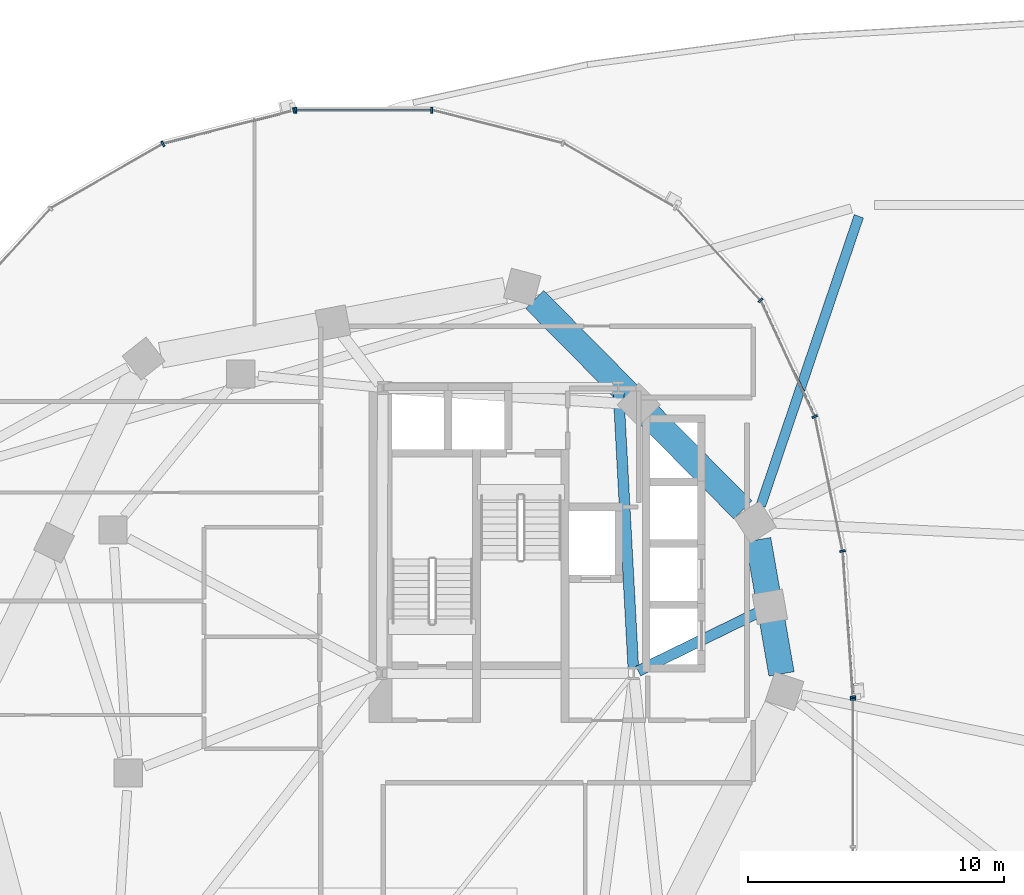
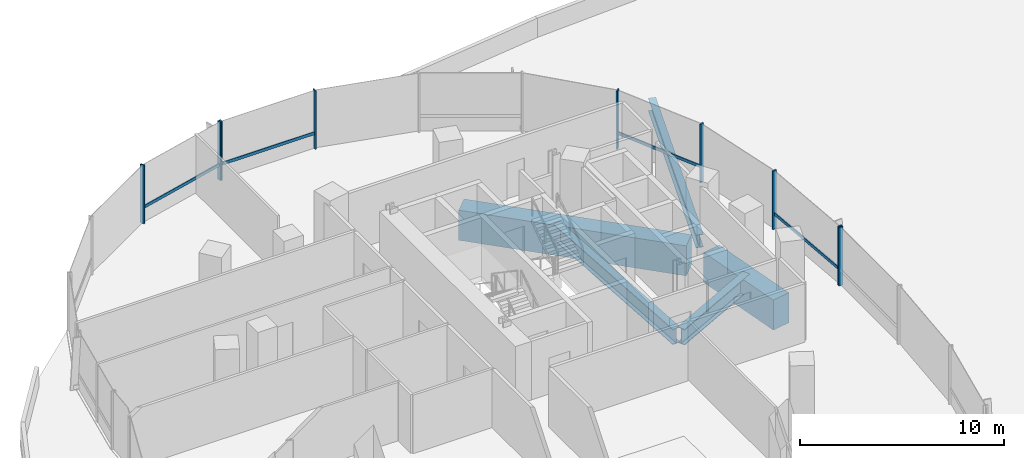
# One storey, part 7 of 28: 13 members, 5 beams, 3 elements without a shape of their own.
"""IFC4 building model written with IfcOpenShell, lengths in metres."""

from ifc_helpers import new_model, si_unit, direction, frame, origin, origin_2d, place, context, subcontext, project, spatial, rectangle, i_section, extrude, material, material_profile, profile_set, type_object, element, aggregate, save


model = new_model("IFC4")

# Units and contexts
model_context = context("Model", 3, precision=1e-05, world=origin(), true_north=direction((0.0, 1.0)))
body_context = subcontext(model_context, "Body", "Model", "MODEL_VIEW")
ifc_project = project(units=[si_unit("LENGTHUNIT", "METRE"), si_unit("AREAUNIT", "SQUARE_METRE"), si_unit("VOLUMEUNIT", "CUBIC_METRE"), si_unit("PLANEANGLEUNIT", "RADIAN"), si_unit("MASSUNIT", "GRAM", prefix="KILO"), si_unit("THERMODYNAMICTEMPERATUREUNIT", "KELVIN"), si_unit("POWERUNIT", "WATT")], contexts=[model_context])

# Site, building, storey
site_placement = place(None, origin())
site = spatial("IfcSite", under=ifc_project, at=site_placement, CompositionType="ELEMENT")
building_placement = place(site_placement, origin())
building = spatial("IfcBuilding", under=site, at=building_placement, Name="Cundina Bronze Exchange", CompositionType="ELEMENT")
storey_placement = place(building_placement, frame((0.0, 0.0, 24.0)))
storey = spatial("IfcBuildingStorey", under=building, at=storey_placement, Name="L05", CompositionType="ELEMENT", Elevation=24.0)

# Beams
ifc_material_1 = material(Name="Steel ASTM A992 Grade 50", Category="steel")
ifc_material_profile_1 = material_profile(ifc_material_1, i_section(OverallWidth=0.381103515625, OverallDepth=0.77294921875, WebThickness=0.0166015625, FlangeThickness=0.027099609375, FilletRadius=0.01904296875, at=origin_2d()), Name="W30X173", Category="steel")
ifc_profile_set_1 = profile_set([ifc_material_profile_1], Name="Steel ASTM A992 Grade 50")
beam_type_1 = type_object("IfcBeamType", Name="BM-RING-W30", PredefinedType="USERDEFINED", material=ifc_profile_set_1)
beam_1_placement = place(storey_placement, frame((-12.6484375, 21.761474609375, -0.69140625), z_axis=(-0.320812062771, -0.947142872211, 0.0), x_axis=(0.947142872211, -0.320812062771, 0.0)))
element("IfcBeam", 1, at=beam_1_placement, inside=storey, type_object=beam_type_1, Name="L05 Podium Colonnade Tie Beam 03", ObjectType="GIRDER", PredefinedType="USERDEFINED", context=body_context, shape_type="SweptSolid", body=[
    extrude(i_section(OverallWidth=0.381103515625, OverallDepth=0.77294921875, WebThickness=0.0166015625, FlangeThickness=0.027099609375, FilletRadius=0.01904296875, at=origin_2d()), origin(), (0.0, 0.0, 1.0), 11.94091796875),
])
ifc_material_profile_2 = material_profile(ifc_material_1, i_section(OverallWidth=0.423095703125, OverallDepth=0.947998046875, WebThickness=0.02392578125, FlangeThickness=0.042724609375, FilletRadius=0.02392578125, at=origin_2d()), Name="W36X302", Category="steel")
ifc_profile_set_2 = profile_set([ifc_material_profile_2], Name="Steel ASTM A992 Grade 50")
beam_type_2 = type_object("IfcBeamType", Name="BM-WRN-W36A", PredefinedType="USERDEFINED", material=ifc_profile_set_2)
beam_2_placement = place(storey_placement, frame((-21.2666015625, 3.989501953125, -0.77392578125), z_axis=(0.898603119977, 0.438762387594, 0.0), x_axis=(-0.438762387594, 0.898603119977, 0.0)))
element("IfcBeam", 2, at=beam_2_placement, inside=storey, type_object=beam_type_2, Name="L05 W Transfer Radial Tie Girder 01", ObjectType="GIRDER", PredefinedType="USERDEFINED", context=body_context, shape_type="SweptSolid", body=[
    extrude(i_section(OverallWidth=0.423095703125, OverallDepth=0.947998046875, WebThickness=0.02392578125, FlangeThickness=0.042724609375, FilletRadius=0.02392578125, at=origin_2d()), origin(), (0.0, 0.0, 1.0), 5.7216796875),
])
ifc_material_profile_3 = material_profile(ifc_material_1, i_section(OverallWidth=0.41796875, OverallDepth=0.927001953125, WebThickness=0.019287109375, FlangeThickness=0.031982421875, FilletRadius=0.02392578125, at=origin_2d()), Name="W36X231", Category="steel")
ifc_profile_set_3 = profile_set([ifc_material_profile_3], Name="Steel ASTM A992 Grade 50")
beam_type_3 = type_object("IfcBeamType", Name="BM-WRN-W36B", PredefinedType="USERDEFINED", material=ifc_profile_set_3)
beam_3_placement = place(storey_placement, frame((-21.4609375, 4.103759765625, -0.763427734375), z_axis=(-0.053739193498, 0.998555005537, 0.0), x_axis=(-0.998555005537, -0.053739193498, 0.0)))
element("IfcBeam", 3, at=beam_3_placement, inside=storey, type_object=beam_type_3, Name="L05 W Core Perimeter Tie Girder 2", ObjectType="GIRDER", PredefinedType="USERDEFINED", context=body_context, shape_type="SweptSolid", body=[
    extrude(i_section(OverallWidth=0.41796875, OverallDepth=0.927001953125, WebThickness=0.019287109375, FlangeThickness=0.031982421875, FilletRadius=0.02392578125, at=origin_2d()), origin(), (0.0, 0.0, 1.0), 10.758056640625),
])
ifc_material_2 = material(Name="Concrete C60/75", Category="concrete")
ifc_material_profile_4 = material_profile(ifc_material_2, rectangle(XDim=1.0, YDim=1.800048828125, at=origin_2d()), Name="RC1000X1800", Category="concrete")
ifc_profile_set_4 = profile_set([ifc_material_profile_4], Name="Concrete C60/75")
beam_type_4 = type_object("IfcBeamType", Name="BM-XFER-RC1800", PredefinedType="USERDEFINED", material=ifc_profile_set_4)
beam_4_placement = place(storey_placement, frame((-15.668212890625, 3.877685546875, -1.199951171875), z_axis=(-0.171608250567, 0.985165269555, 0.0), x_axis=(-0.985165269555, -0.171608250567, 0.0)))
element("IfcBeam", 4, at=beam_4_placement, inside=storey, type_object=beam_type_4, Name="L05 W Podium Perimeter Transfer Girder 00", ObjectType="GIRDER", PredefinedType="USERDEFINED", context=body_context, shape_type="SweptSolid", body=[
    extrude(rectangle(XDim=1.0, YDim=1.800048828125, at=origin_2d()), origin(), (0.0, 0.0, 1.0), 5.323486328125),
])
beam_5_placement = place(storey_placement, frame((-17.183837890625, 10.2890625, -1.199951171875), z_axis=(-0.703222219128, 0.710970119291, 0.0), x_axis=(-0.710970119291, -0.703222219128, 0.0)))
element("IfcBeam", 5, at=beam_5_placement, inside=storey, type_object=beam_type_4, Name="L05 W Podium Perimeter Transfer Girder 02", ObjectType="GIRDER", PredefinedType="USERDEFINED", context=body_context, shape_type="SweptSolid", body=[
    extrude(rectangle(XDim=1.0, YDim=1.800048828125, at=origin_2d()), origin(), (0.0, 0.0, 1.0), 11.564453125),
])

# Curtain wall, members
ifc_material_3 = material(Name="Anodised Bronze Aluminium 6063-T6", Category="aluminium")
curtain_wall_type = type_object("IfcCurtainWallType", Name="CWS-TRD-LOW", PredefinedType="NOTDEFINED", material=ifc_material_3)
curtain_wall_1_placement = place(storey_placement, origin())
curtain_wall_1 = element("IfcCurtainWall", 6, at=curtain_wall_1_placement, inside=storey, type_object=curtain_wall_type, Name="L05 CW-02 Curtain Wall Run CWR-L05-W1", PredefinedType="NOTDEFINED")
ifc_material_profile_5 = material_profile(ifc_material_3, rectangle(XDim=0.074951171875, YDim=0.219970703125, at=origin_2d()), Name="AL75X220", Category="aluminium")
ifc_profile_set_5 = profile_set([ifc_material_profile_5], Name="Anodised Bronze Aluminium 6063-T6")
member_type_1 = type_object("IfcMemberType", Name="CWM-MUL-220", PredefinedType="MULLION", material=ifc_profile_set_5)
member_1_placement = place(storey_placement, frame((-12.87548828125, 2.976318359375, 0.0), z_axis=(0.0, 0.0, 1.0), x_axis=(-0.070278787473, 0.997527389113, 0.0)))
member_1 = element("IfcMember", 7, at=member_1_placement, type_object=member_type_1, Name="CW-02 Mullion 1", PredefinedType="MULLION", context=body_context, shape_type="SweptSolid", body=[
    extrude(rectangle(XDim=0.074951171875, YDim=0.219970703125, at=origin_2d()), origin(), (0.0, 0.0, 1.0), 3.5),
])
member_2_placement = place(storey_placement, frame((-13.282958984375, 8.67822265625, 0.0), z_axis=(0.0, 0.0, 1.0), x_axis=(-0.201419845156, 0.979505000486, 0.0)))
member_2 = element("IfcMember", 8, at=member_2_placement, type_object=member_type_1, Name="CW-02 Mullion 2", PredefinedType="MULLION", context=body_context, shape_type="SweptSolid", body=[
    extrude(rectangle(XDim=0.074951171875, YDim=0.219970703125, at=origin_2d()), origin(), (0.0, 0.0, 1.0), 3.5),
])
member_3_placement = place(storey_placement, frame((-14.3720703125, 13.931884765625, 0.0), z_axis=(0.0, 0.0, 1.0), x_axis=(-0.42087749791, 0.907117485088, 0.0)))
member_3 = element("IfcMember", 9, at=member_3_placement, type_object=member_type_1, Name="CW-02 Mullion 3", PredefinedType="MULLION", context=body_context, shape_type="SweptSolid", body=[
    extrude(rectangle(XDim=0.074951171875, YDim=0.219970703125, at=origin_2d()), origin(), (0.0, 0.0, 1.0), 3.5),
])
member_4_placement = place(storey_placement, frame((-16.491455078125, 18.47705078125, 0.0), z_axis=(0.0, 0.0, 1.0), x_axis=(-0.674302387584, 0.738455340626, 0.0)))
member_4 = element("IfcMember", 10, at=member_4_placement, type_object=member_type_1, Name="CW-02 Mullion 4", PredefinedType="MULLION", context=body_context, shape_type="SweptSolid", body=[
    extrude(rectangle(XDim=0.074951171875, YDim=0.219970703125, at=origin_2d()), origin(), (0.0, 0.0, 1.0), 3.5),
])
member_5_placement = place(storey_placement, frame((-29.345458984375, 25.905029296875, 0.0), z_axis=(0.0, 0.0, 1.0), x_axis=(-1.0, 0.0, 0.0)))
member_5 = element("IfcMember", 11, at=member_5_placement, type_object=member_type_1, Name="CW-02 Mullion 7", PredefinedType="MULLION", context=body_context, shape_type="SweptSolid", body=[
    extrude(rectangle(XDim=0.074951171875, YDim=0.219970703125, at=origin_2d()), origin(), (0.0, 0.0, 1.0), 3.5),
])
member_6_placement = place(storey_placement, frame((-34.654541015625, 25.905029296875, 0.0), z_axis=(0.0, 0.0, 1.0), x_axis=(-1.0, 0.0, 0.0)))
member_6 = element("IfcMember", 12, at=member_6_placement, type_object=member_type_1, Name="CW-02 End Mullion", PredefinedType="MULLION", context=body_context, shape_type="SweptSolid", body=[
    extrude(rectangle(XDim=0.074951171875, YDim=0.219970703125, at=origin_2d()), origin(), (0.0, 0.0, 1.0), 3.5),
])

curtain_wall_2_placement = place(storey_placement, origin())
curtain_wall_2 = element("IfcCurtainWall", 13, at=curtain_wall_2_placement, inside=storey, type_object=curtain_wall_type, Name="L05 CW-02 Curtain Wall Run CWR-L05-W2", PredefinedType="NOTDEFINED")
member_7_placement = place(storey_placement, frame((-34.72607421875, 25.89599609375, 0.0), z_axis=(0.0, 0.0, 1.0), x_axis=(-0.969488149345, -0.245138182011, 0.0)))
member_7 = element("IfcMember", 14, at=member_7_placement, type_object=member_type_1, Name="CW-02 Mullion 1", PredefinedType="MULLION", context=body_context, shape_type="SweptSolid", body=[
    extrude(rectangle(XDim=0.074951171875, YDim=0.219970703125, at=origin_2d()), origin(), (0.0, 0.0, 1.0), 3.5),
])
member_8_placement = place(storey_placement, frame((-39.848876953125, 24.591064453125, 0.0), z_axis=(0.0, 0.0, 1.0), x_axis=(-0.867070701164, -0.498185105339, 0.0)))
member_8 = element("IfcMember", 15, at=member_8_placement, type_object=member_type_1, Name="CW-02 Mullion 2", PredefinedType="MULLION", context=body_context, shape_type="SweptSolid", body=[
    extrude(rectangle(XDim=0.074951171875, YDim=0.219970703125, at=origin_2d()), origin(), (0.0, 0.0, 1.0), 3.5),
])

# Curtain wall, member
curtain_wall_3_placement = place(storey_placement, origin())
curtain_wall_3 = element("IfcCurtainWall", 16, at=curtain_wall_3_placement, inside=storey, type_object=curtain_wall_type, Name="L05 CW-02 Curtain Wall Run CWR-L05-W4", PredefinedType="NOTDEFINED")
member_9_placement = place(storey_placement, frame((-12.8720703125, 2.880615234375, 0.0), z_axis=(0.0, 0.0, 1.0), x_axis=(0.0, 1.0, 0.0)))
member_9 = element("IfcMember", 17, at=member_9_placement, type_object=member_type_1, Name="CW-02 End Mullion", PredefinedType="MULLION", context=body_context, shape_type="SweptSolid", body=[
    extrude(rectangle(XDim=0.074951171875, YDim=0.219970703125, at=origin_2d()), origin(), (0.0, 0.0, 1.0), 3.5),
])
aggregate(curtain_wall_3, [member_9])

# Member
ifc_material_profile_6 = material_profile(ifc_material_3, rectangle(XDim=0.070068359375, YDim=0.179931640625, at=origin_2d()), Name="AL70X180", Category="aluminium")
ifc_profile_set_6 = profile_set([ifc_material_profile_6], Name="Anodised Bronze Aluminium 6063-T6")
member_type_2 = type_object("IfcMemberType", Name="CWM-TRN-180", PredefinedType="USERDEFINED", material=ifc_profile_set_6)
member_10_placement = place(storey_placement, frame((-12.87841796875, 3.017333984375, 0.919921875), z_axis=(-0.070260714471, 0.997528662246, 0.0), x_axis=(-0.997528662246, -0.070260714471, 0.0)))
member_10 = element("IfcMember", 18, at=member_10_placement, type_object=member_type_2, Name="CW-02 Spandrel Transom 1", ObjectType="TRANSOM", PredefinedType="USERDEFINED", context=body_context, shape_type="SweptSolid", body=[
    extrude(rectangle(XDim=0.070068359375, YDim=0.179931640625, at=origin_2d()), origin(), (0.0, 0.0, 1.0), 5.629150390625),
])

member_11_placement = place(storey_placement, frame((-14.389404296875, 13.96923828125, 0.919921875), z_axis=(-0.420811422796, 0.907148139195, 0.0), x_axis=(-0.907148139195, -0.420811422796, 0.0)))
member_11 = element("IfcMember", 19, at=member_11_placement, type_object=member_type_2, Name="CW-02 Spandrel Transom 3", ObjectType="TRANSOM", PredefinedType="USERDEFINED", context=body_context, shape_type="SweptSolid", body=[
    extrude(rectangle(XDim=0.070068359375, YDim=0.179931640625, at=origin_2d()), origin(), (0.0, 0.0, 1.0), 4.95166015625),
])

member_12_placement = place(storey_placement, frame((-29.38671875, 25.905029296875, 0.919921875), z_axis=(-1.0, 0.0, 0.0), x_axis=(0.0, -1.0, 0.0)))
member_12 = element("IfcMember", 20, at=member_12_placement, type_object=member_type_2, Name="CW-02 Spandrel Transom 7", ObjectType="TRANSOM", PredefinedType="USERDEFINED", context=body_context, shape_type="SweptSolid", body=[
    extrude(rectangle(XDim=0.070068359375, YDim=0.179931640625, at=origin_2d()), origin(), (0.0, 0.0, 1.0), 5.2265625),
])

aggregate(curtain_wall_1, [member_1, member_10, member_2, member_3, member_11, member_4, member_5, member_6, member_12])

member_13_placement = place(storey_placement, frame((-34.76611328125, 25.885986328125, 0.919921875), z_axis=(-0.969483968866, -0.245154714644, 0.0), x_axis=(0.245154714644, -0.969483968866, 0.0)))
member_13 = element("IfcMember", 21, at=member_13_placement, type_object=member_type_2, Name="CW-02 Spandrel Transom 1", ObjectType="TRANSOM", PredefinedType="USERDEFINED", context=body_context, shape_type="SweptSolid", body=[
    extrude(rectangle(XDim=0.070068359375, YDim=0.179931640625, at=origin_2d()), origin(), (0.0, 0.0, 1.0), 5.21826171875),
])

aggregate(curtain_wall_2, [member_7, member_13, member_8])

save(model, "model.ifc")
